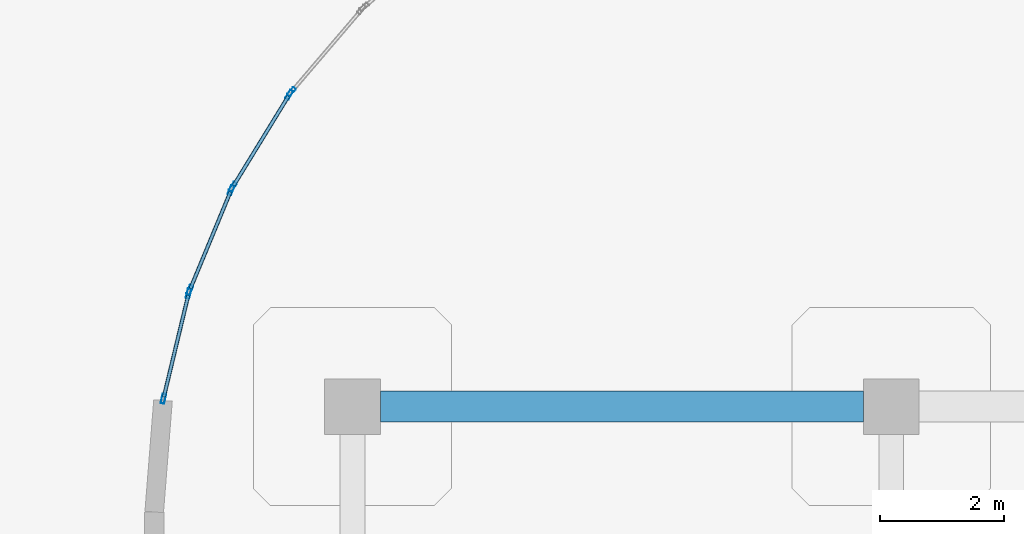
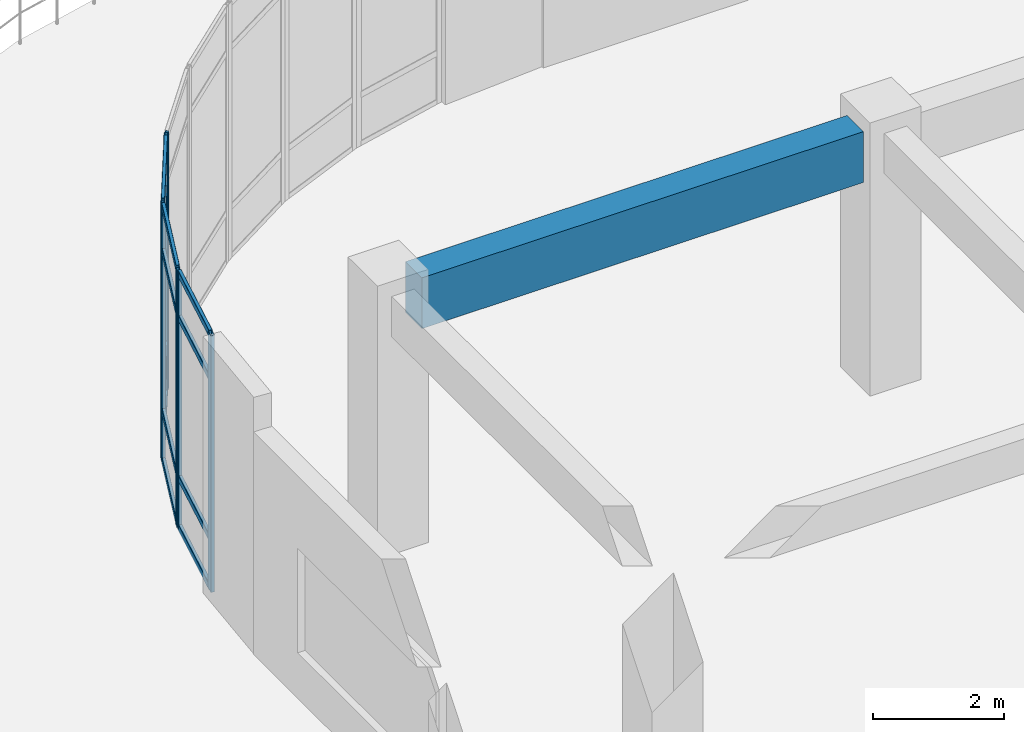
# One storey, part 19 of 120: 19 members, 1 beam, 4 elements without a shape of their own.
"""IFC4 building model written with IfcOpenShell, lengths in metres."""

from ifc_helpers import new_model, si_unit, derived_unit, direction, frame, origin, origin_2d, place, context, subcontext, project, spatial, rectangle, hollow_rectangle, extrude, material, layer, layer_set, material_profile, profile_set, type_object, element, aggregate, save


model = new_model("IFC4")

# Units and contexts
model_context = context("Model", 3, precision=1e-05, world=origin(), true_north=direction((0.0, 1.0)))
body_context = subcontext(model_context, "Body", "Model", "MODEL_VIEW")
ifc_project = project(units=[si_unit("LENGTHUNIT", "METRE"), si_unit("AREAUNIT", "SQUARE_METRE"), si_unit("VOLUMEUNIT", "CUBIC_METRE"), si_unit("PLANEANGLEUNIT", "RADIAN"), si_unit("MASSUNIT", "GRAM", prefix="KILO"), derived_unit("THERMALTRANSMITTANCEUNIT", [(si_unit("MASSUNIT", "GRAM", prefix="KILO"), 1), (si_unit("TIMEUNIT", "SECOND"), -3), (si_unit("THERMODYNAMICTEMPERATUREUNIT", "KELVIN"), -1)])], contexts=[model_context])

# Site, building, storey
site_placement = place(None, origin())
site = spatial("IfcSite", under=ifc_project, at=site_placement, CompositionType="ELEMENT")
building_placement = place(site_placement, origin())
building = spatial("IfcBuilding", under=site, at=building_placement, Name="Qinzheling Arcade Emporium", CompositionType="ELEMENT")
storey_placement = place(building_placement, frame((0.0, 0.0, 11.39990234375)))
storey = spatial("IfcBuildingStorey", under=building, at=storey_placement, Name="L03", CompositionType="ELEMENT", Elevation=11.39990234375)

# Curtain wall, members
ifc_material_1 = material(Name="Anodised aluminium and solar-control double glazing", Category="aluminium")
ifc_layer = layer(ifc_material_1, 0.159912109375, Name="Anodised aluminium and solar-control double glazing", Category="aluminium")
ifc_layer_set = layer_set([ifc_layer], Name="Anodised aluminium and solar-control double glazing")
curtain_wall_type = type_object("IfcCurtainWallType", Name="Curved Ribbon Sales Curtain Wall", PredefinedType="NOTDEFINED", material=ifc_layer_set)
curtain_wall_1_placement = place(storey_placement, origin())
curtain_wall_1 = element("IfcCurtainWall", 1, at=curtain_wall_1_placement, inside=storey, type_object=curtain_wall_type, Name="Curtain Wall CW-L03-165", PredefinedType="NOTDEFINED")
ifc_material_2 = material(Name="Anodised aluminium 6063-T6", Category="aluminium")
ifc_material_profile_1 = material_profile(ifc_material_2, hollow_rectangle(XDim=0.06005859375, YDim=0.159912109375, WallThickness=0.00390625, InnerFilletRadius=0.00390625, OuterFilletRadius=0.008056640625, at=origin_2d()), Name="RHS 160x60x4", Category="aluminium")
ifc_profile_set_1 = profile_set([ifc_material_profile_1], Name="Anodised aluminium 6063-T6")
member_type_1 = type_object("IfcMemberType", Name="Curtain Wall Mullion RHS160x60", PredefinedType="MULLION", material=ifc_profile_set_1)
member_1_placement = place(storey_placement, frame((14.348876953125, 50.528076171875, 0.0), z_axis=(0.0, 0.0, 1.0), x_axis=(-0.972412443739, 0.23326817027, 0.0)))
member_1 = element("IfcMember", 2, at=member_1_placement, type_object=member_type_1, Name="CW02 mullion 1", PredefinedType="MULLION", context=body_context, shape_type="SweptSolid", body=[
    extrude(hollow_rectangle(XDim=0.06005859375, YDim=0.159912109375, WallThickness=0.00390625, InnerFilletRadius=0.00390625, OuterFilletRadius=0.008056640625, at=origin_2d()), origin(), (0.0, 0.0, 1.0), 4.7900390625),
])
member_2_placement = place(storey_placement, frame((14.756103515625, 52.224853515625, 0.0), z_axis=(0.0, 0.0, 1.0), x_axis=(-0.972412443739, 0.23326817027, 0.0)))
member_2 = element("IfcMember", 3, at=member_2_placement, type_object=member_type_1, Name="CW02 mullion 2", PredefinedType="MULLION", context=body_context, shape_type="SweptSolid", body=[
    extrude(hollow_rectangle(XDim=0.06005859375, YDim=0.159912109375, WallThickness=0.00390625, InnerFilletRadius=0.00390625, OuterFilletRadius=0.008056640625, at=origin_2d()), origin(), (0.0, 0.0, 1.0), 4.7900390625),
])

curtain_wall_2_placement = place(storey_placement, origin())
curtain_wall_2 = element("IfcCurtainWall", 4, at=curtain_wall_2_placement, inside=storey, type_object=curtain_wall_type, Name="Curtain Wall CW-L03-166", PredefinedType="NOTDEFINED")
member_3_placement = place(storey_placement, frame((14.7744140625, 52.28173828125, 0.0), z_axis=(0.0, 0.0, 1.0), x_axis=(-0.92397631171, 0.382449703098, 0.0)))
member_3 = element("IfcMember", 5, at=member_3_placement, type_object=member_type_1, Name="CW02 mullion 1", PredefinedType="MULLION", context=body_context, shape_type="SweptSolid", body=[
    extrude(hollow_rectangle(XDim=0.06005859375, YDim=0.159912109375, WallThickness=0.00390625, InnerFilletRadius=0.00390625, OuterFilletRadius=0.008056640625, at=origin_2d()), origin(), (0.0, 0.0, 1.0), 4.7900390625),
])
member_4_placement = place(storey_placement, frame((15.44140625, 53.893310546875, 0.0), z_axis=(0.0, 0.0, 1.0), x_axis=(-0.92397631171, 0.382449703098, 0.0)))
member_4 = element("IfcMember", 6, at=member_4_placement, type_object=member_type_1, Name="CW02 mullion 2", PredefinedType="MULLION", context=body_context, shape_type="SweptSolid", body=[
    extrude(hollow_rectangle(XDim=0.06005859375, YDim=0.159912109375, WallThickness=0.00390625, InnerFilletRadius=0.00390625, OuterFilletRadius=0.008056640625, at=origin_2d()), origin(), (0.0, 0.0, 1.0), 4.7900390625),
])

curtain_wall_3_placement = place(storey_placement, origin())
curtain_wall_3 = element("IfcCurtainWall", 7, at=curtain_wall_3_placement, inside=storey, type_object=curtain_wall_type, Name="Curtain Wall CW-L03-167", PredefinedType="NOTDEFINED")
member_5_placement = place(storey_placement, frame((15.46875, 53.946533203125, 0.0), z_axis=(0.0, 0.0, 1.0), x_axis=(-0.852664947911, 0.522458119474, 0.0)))
member_5 = element("IfcMember", 8, at=member_5_placement, type_object=member_type_1, Name="CW02 mullion 1", PredefinedType="MULLION", context=body_context, shape_type="SweptSolid", body=[
    extrude(hollow_rectangle(XDim=0.06005859375, YDim=0.159912109375, WallThickness=0.00390625, InnerFilletRadius=0.00390625, OuterFilletRadius=0.008056640625, at=origin_2d()), origin(), (0.0, 0.0, 1.0), 4.7900390625),
])
member_6_placement = place(storey_placement, frame((16.38037109375, 55.434326171875, 0.0), z_axis=(0.0, 0.0, 1.0), x_axis=(-0.852664947911, 0.522458119474, 0.0)))
member_6 = element("IfcMember", 9, at=member_6_placement, type_object=member_type_1, Name="CW02 mullion 2", PredefinedType="MULLION", context=body_context, shape_type="SweptSolid", body=[
    extrude(hollow_rectangle(XDim=0.06005859375, YDim=0.159912109375, WallThickness=0.00390625, InnerFilletRadius=0.00390625, OuterFilletRadius=0.008056640625, at=origin_2d()), origin(), (0.0, 0.0, 1.0), 4.7900390625),
])

# Curtain wall, member
curtain_wall_4_placement = place(storey_placement, origin())
curtain_wall_4 = element("IfcCurtainWall", 10, at=curtain_wall_4_placement, inside=storey, type_object=curtain_wall_type, Name="Curtain Wall CW-L03-168", PredefinedType="NOTDEFINED")
member_7_placement = place(storey_placement, frame((16.41552734375, 55.48291015625, 0.0), z_axis=(0.0, 0.0, 1.0), x_axis=(-0.760350870345, 0.649512551046, 0.0)))
member_7 = element("IfcMember", 11, at=member_7_placement, type_object=member_type_1, Name="CW02 mullion 1", PredefinedType="MULLION", context=body_context, shape_type="SweptSolid", body=[
    extrude(hollow_rectangle(XDim=0.06005859375, YDim=0.159912109375, WallThickness=0.00390625, InnerFilletRadius=0.00390625, OuterFilletRadius=0.008056640625, at=origin_2d()), origin(), (0.0, 0.0, 1.0), 4.7900390625),
])
aggregate(curtain_wall_4, [member_7])

# Member
ifc_material_profile_2 = material_profile(ifc_material_2, hollow_rectangle(XDim=0.06005859375, YDim=0.1201171875, WallThickness=0.00390625, InnerFilletRadius=0.00390625, OuterFilletRadius=0.008056640625, at=origin_2d()), Name="RHS 120x60x4", Category="aluminium")
ifc_profile_set_2 = profile_set([ifc_material_profile_2], Name="Anodised aluminium 6063-T6")
member_type_2 = type_object("IfcMemberType", Name="Curtain Wall Transom RHS120x60", PredefinedType="USERDEFINED", material=ifc_profile_set_2)
member_8_placement = place(storey_placement, frame((14.35595703125, 50.557373046875, 0.030029296875), z_axis=(0.23331814193, 0.972400454878, 0.0), x_axis=(-0.972400454878, 0.23331814193, 0.0)))
member_8 = element("IfcMember", 12, at=member_8_placement, type_object=member_type_2, Name="CW02 transom 1.1", ObjectType="TRANSOM", PredefinedType="USERDEFINED", context=body_context, shape_type="SweptSolid", body=[
    extrude(hollow_rectangle(XDim=0.06005859375, YDim=0.1201171875, WallThickness=0.00390625, InnerFilletRadius=0.00390625, OuterFilletRadius=0.008056640625, at=origin_2d()), origin(), (0.0, 0.0, 1.0), 1.6845703125),
])

member_9_placement = place(storey_placement, frame((14.35595703125, 50.557373046875, 0.9501953125), z_axis=(0.23331814193, 0.972400454878, 0.0), x_axis=(-0.972400454878, 0.23331814193, 0.0)))
member_9 = element("IfcMember", 13, at=member_9_placement, type_object=member_type_2, Name="CW02 transom 1.2", ObjectType="TRANSOM", PredefinedType="USERDEFINED", context=body_context, shape_type="SweptSolid", body=[
    extrude(hollow_rectangle(XDim=0.06005859375, YDim=0.1201171875, WallThickness=0.00390625, InnerFilletRadius=0.00390625, OuterFilletRadius=0.008056640625, at=origin_2d()), origin(), (0.0, 0.0, 1.0), 1.6845703125),
])

member_10_placement = place(storey_placement, frame((14.35595703125, 50.557373046875, 3.940185546875), z_axis=(0.23331814193, 0.972400454878, 0.0), x_axis=(-0.972400454878, 0.23331814193, 0.0)))
member_10 = element("IfcMember", 14, at=member_10_placement, type_object=member_type_2, Name="CW02 transom 1.3", ObjectType="TRANSOM", PredefinedType="USERDEFINED", context=body_context, shape_type="SweptSolid", body=[
    extrude(hollow_rectangle(XDim=0.06005859375, YDim=0.1201171875, WallThickness=0.00390625, InnerFilletRadius=0.00390625, OuterFilletRadius=0.008056640625, at=origin_2d()), origin(), (0.0, 0.0, 1.0), 1.6845703125),
])

member_11_placement = place(storey_placement, frame((14.35595703125, 50.557373046875, 4.760009765625), z_axis=(0.23331814193, 0.972400454878, 0.0), x_axis=(-0.972400454878, 0.23331814193, 0.0)))
member_11 = element("IfcMember", 15, at=member_11_placement, type_object=member_type_2, Name="CW02 transom 1.4", ObjectType="TRANSOM", PredefinedType="USERDEFINED", context=body_context, shape_type="SweptSolid", body=[
    extrude(hollow_rectangle(XDim=0.06005859375, YDim=0.1201171875, WallThickness=0.00390625, InnerFilletRadius=0.00390625, OuterFilletRadius=0.008056640625, at=origin_2d()), origin(), (0.0, 0.0, 1.0), 1.6845703125),
])

aggregate(curtain_wall_1, [member_1, member_2, member_8, member_9, member_10, member_11])

member_12_placement = place(storey_placement, frame((14.785888671875, 52.309326171875, 0.030029296875), z_axis=(0.382411543041, 0.923992105891, 0.0), x_axis=(-0.923992105891, 0.382411543041, 0.0)))
member_12 = element("IfcMember", 16, at=member_12_placement, type_object=member_type_2, Name="CW02 transom 1.1", ObjectType="TRANSOM", PredefinedType="USERDEFINED", context=body_context, shape_type="SweptSolid", body=[
    extrude(hollow_rectangle(XDim=0.06005859375, YDim=0.1201171875, WallThickness=0.00390625, InnerFilletRadius=0.00390625, OuterFilletRadius=0.008056640625, at=origin_2d()), origin(), (0.0, 0.0, 1.0), 1.68408203125),
])

member_13_placement = place(storey_placement, frame((14.785888671875, 52.309326171875, 0.9501953125), z_axis=(0.382411543041, 0.923992105891, 0.0), x_axis=(-0.923992105891, 0.382411543041, 0.0)))
member_13 = element("IfcMember", 17, at=member_13_placement, type_object=member_type_2, Name="CW02 transom 1.2", ObjectType="TRANSOM", PredefinedType="USERDEFINED", context=body_context, shape_type="SweptSolid", body=[
    extrude(hollow_rectangle(XDim=0.06005859375, YDim=0.1201171875, WallThickness=0.00390625, InnerFilletRadius=0.00390625, OuterFilletRadius=0.008056640625, at=origin_2d()), origin(), (0.0, 0.0, 1.0), 1.68408203125),
])

member_14_placement = place(storey_placement, frame((14.785888671875, 52.309326171875, 3.940185546875), z_axis=(0.382411543041, 0.923992105891, 0.0), x_axis=(-0.923992105891, 0.382411543041, 0.0)))
member_14 = element("IfcMember", 18, at=member_14_placement, type_object=member_type_2, Name="CW02 transom 1.3", ObjectType="TRANSOM", PredefinedType="USERDEFINED", context=body_context, shape_type="SweptSolid", body=[
    extrude(hollow_rectangle(XDim=0.06005859375, YDim=0.1201171875, WallThickness=0.00390625, InnerFilletRadius=0.00390625, OuterFilletRadius=0.008056640625, at=origin_2d()), origin(), (0.0, 0.0, 1.0), 1.68408203125),
])

member_15_placement = place(storey_placement, frame((14.785888671875, 52.309326171875, 4.760009765625), z_axis=(0.382411543041, 0.923992105891, 0.0), x_axis=(-0.923992105891, 0.382411543041, 0.0)))
member_15 = element("IfcMember", 19, at=member_15_placement, type_object=member_type_2, Name="CW02 transom 1.4", ObjectType="TRANSOM", PredefinedType="USERDEFINED", context=body_context, shape_type="SweptSolid", body=[
    extrude(hollow_rectangle(XDim=0.06005859375, YDim=0.1201171875, WallThickness=0.00390625, InnerFilletRadius=0.00390625, OuterFilletRadius=0.008056640625, at=origin_2d()), origin(), (0.0, 0.0, 1.0), 1.68408203125),
])

aggregate(curtain_wall_2, [member_3, member_4, member_12, member_13, member_14, member_15])

member_16_placement = place(storey_placement, frame((15.484375, 53.97216796875, 0.030029296875), z_axis=(0.522463526707, 0.852661634684, 0.0), x_axis=(-0.852661634684, 0.522463526707, 0.0)))
member_16 = element("IfcMember", 20, at=member_16_placement, type_object=member_type_2, Name="CW02 transom 1.1", ObjectType="TRANSOM", PredefinedType="USERDEFINED", context=body_context, shape_type="SweptSolid", body=[
    extrude(hollow_rectangle(XDim=0.06005859375, YDim=0.1201171875, WallThickness=0.00390625, InnerFilletRadius=0.00390625, OuterFilletRadius=0.008056640625, at=origin_2d()), origin(), (0.0, 0.0, 1.0), 1.68505859375),
])

member_17_placement = place(storey_placement, frame((15.484375, 53.97216796875, 0.9501953125), z_axis=(0.522463526707, 0.852661634684, 0.0), x_axis=(-0.852661634684, 0.522463526707, 0.0)))
member_17 = element("IfcMember", 21, at=member_17_placement, type_object=member_type_2, Name="CW02 transom 1.2", ObjectType="TRANSOM", PredefinedType="USERDEFINED", context=body_context, shape_type="SweptSolid", body=[
    extrude(hollow_rectangle(XDim=0.06005859375, YDim=0.1201171875, WallThickness=0.00390625, InnerFilletRadius=0.00390625, OuterFilletRadius=0.008056640625, at=origin_2d()), origin(), (0.0, 0.0, 1.0), 1.68505859375),
])

member_18_placement = place(storey_placement, frame((15.484375, 53.97216796875, 3.940185546875), z_axis=(0.522463526707, 0.852661634684, 0.0), x_axis=(-0.852661634684, 0.522463526707, 0.0)))
member_18 = element("IfcMember", 22, at=member_18_placement, type_object=member_type_2, Name="CW02 transom 1.3", ObjectType="TRANSOM", PredefinedType="USERDEFINED", context=body_context, shape_type="SweptSolid", body=[
    extrude(hollow_rectangle(XDim=0.06005859375, YDim=0.1201171875, WallThickness=0.00390625, InnerFilletRadius=0.00390625, OuterFilletRadius=0.008056640625, at=origin_2d()), origin(), (0.0, 0.0, 1.0), 1.68505859375),
])

member_19_placement = place(storey_placement, frame((15.484375, 53.97216796875, 4.760009765625), z_axis=(0.522463526707, 0.852661634684, 0.0), x_axis=(-0.852661634684, 0.522463526707, 0.0)))
member_19 = element("IfcMember", 23, at=member_19_placement, type_object=member_type_2, Name="CW02 transom 1.4", ObjectType="TRANSOM", PredefinedType="USERDEFINED", context=body_context, shape_type="SweptSolid", body=[
    extrude(hollow_rectangle(XDim=0.06005859375, YDim=0.1201171875, WallThickness=0.00390625, InnerFilletRadius=0.00390625, OuterFilletRadius=0.008056640625, at=origin_2d()), origin(), (0.0, 0.0, 1.0), 1.68505859375),
])

aggregate(curtain_wall_3, [member_5, member_6, member_16, member_17, member_18, member_19])

# Beam
ifc_material_3 = material(Name="Concrete C40", Category="concrete")
ifc_material_profile_3 = material_profile(ifc_material_3, rectangle(XDim=0.5, YDim=0.949951171875, at=origin_2d()), Name="RC 500x950", Category="concrete")
ifc_profile_set_3 = profile_set([ifc_material_profile_3], Name="Concrete C40")
beam_type = type_object("IfcBeamType", Name="RC Vault Ring Beam 500x950 C40", PredefinedType="BEAM", material=ifc_profile_set_3)
beam_placement = place(storey_placement, frame((17.85009765625, 50.39990234375, 4.34521484375), z_axis=(1.0, 0.0, 0.0), x_axis=(0.0, 1.0, 0.0)))
element("IfcBeam", 24, at=beam_placement, inside=storey, type_object=beam_type, Name="Beam BM-L03-X-G-3", PredefinedType="BEAM", context=body_context, shape_type="SweptSolid", body=[
    extrude(rectangle(XDim=0.5, YDim=0.949951171875, at=origin_2d()), origin(), (0.0, 0.0, 1.0), 7.7998046875),
])

save(model, "model.ifc")
